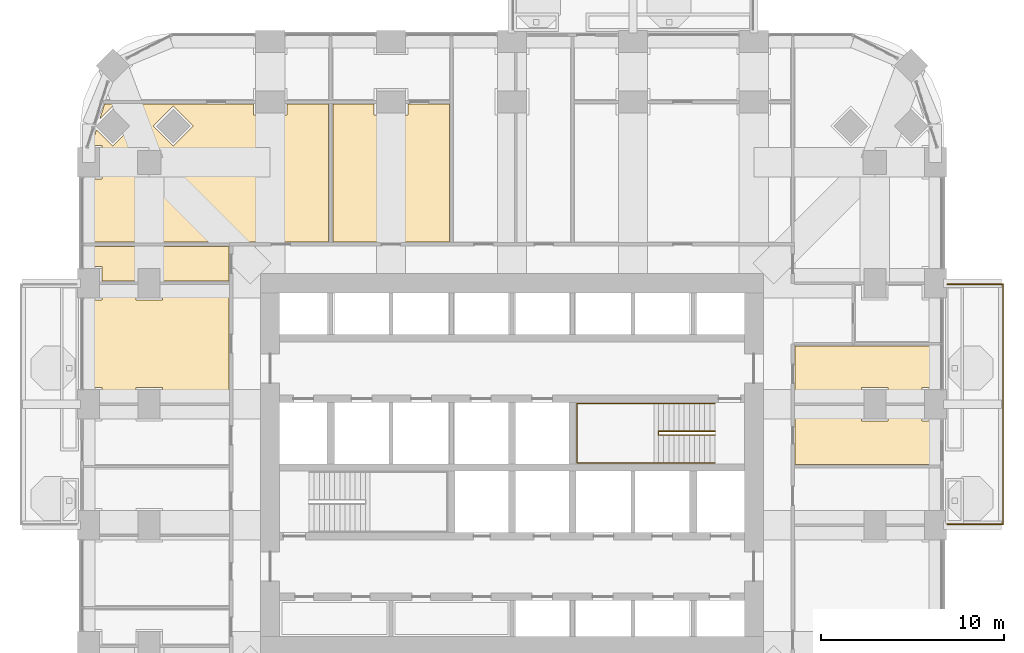
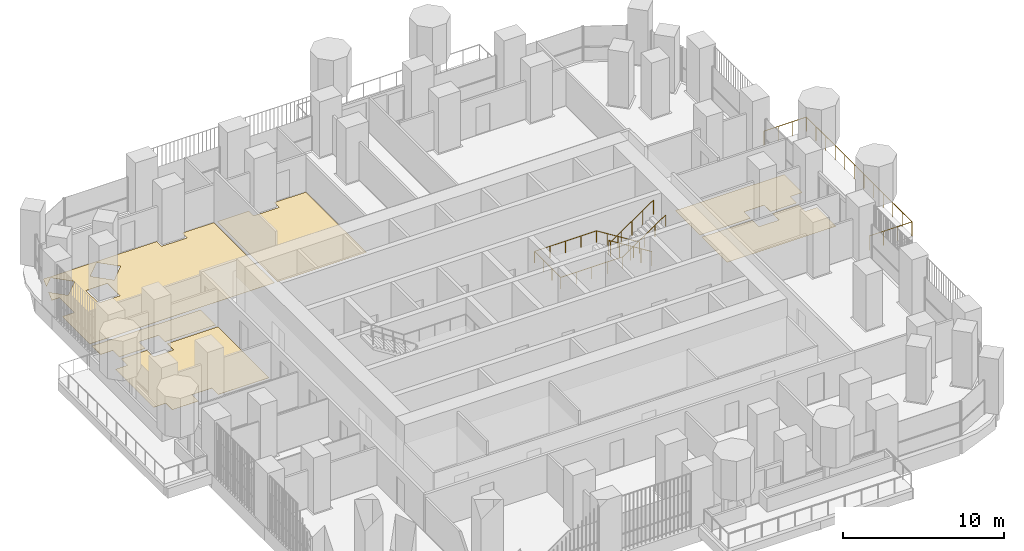
# One storey, part 20 of 22: 6 coverings, 3 railings.
"""IFC4 building model written with IfcOpenShell, lengths in metres."""

from ifc_helpers import new_model, si_unit, direction, frame, origin, place, context, subcontext, project, spatial, polyline, outline, extrude, material, layer, layer_set, type_object, element, save


model = new_model("IFC4")

# Units and contexts
model_context = context("Model", 3, precision=1e-05, world=origin(), true_north=direction((0.0, 1.0)))
body_context = subcontext(model_context, "Body", "Model", "MODEL_VIEW")
ifc_project = project(units=[si_unit("LENGTHUNIT", "METRE"), si_unit("AREAUNIT", "SQUARE_METRE"), si_unit("VOLUMEUNIT", "CUBIC_METRE"), si_unit("PLANEANGLEUNIT", "RADIAN"), si_unit("MASSUNIT", "GRAM", prefix="KILO")], contexts=[model_context])

# Site, building, storey
site_placement = place(None, origin())
site = spatial("IfcSite", under=ifc_project, at=site_placement, CompositionType="ELEMENT")
building_placement = place(site_placement, origin())
building = spatial("IfcBuilding", under=site, at=building_placement, Name="Cobogo Forest Laboratory Tower", CompositionType="ELEMENT")
storey_placement = place(building_placement, frame((0.0, 0.0, 136.800048828125)))
storey = spatial("IfcBuildingStorey", under=building, at=storey_placement, Name="L31", CompositionType="ELEMENT", Elevation=136.800048828125)

# Railing
ifc_material_1 = material(Name="Laminated glass balustrade", Category="glass")
railing_type_1 = type_object("IfcRailingType", Name="BG1 glass balustrade 1100", PredefinedType="GUARDRAIL", material=ifc_material_1)
railing_1_placement = place(storey_placement, frame((50.14990234375, 19.85009765625, 0.0)))
element("IfcRailing", 1, at=railing_1_placement, inside=storey, type_object=railing_type_1, Name="Balcony balustrade BAL-E1 L31", PredefinedType="GUARDRAIL", context=body_context, shape_type="SweptSolid", body=[
    extrude(outline(polyline([(0.022216796875, 0.00927734375), (0.00927734375, 0.022216796875), (-0.00927734375, 0.022216796875), (-0.022216796875, 0.00927734375), (-0.022216796875, -0.00927734375), (-0.00927734375, -0.022216796875), (0.00927734375, -0.022216796875), (0.022216796875, -0.00927734375), (0.022216796875, 0.00927734375)])), frame((0.0, 0.0, 1.077880859375), z_axis=(1.0, 0.0, 0.0), x_axis=(0.0, 1.0, 0.0)), (0.0, 0.0, 1.0), 3.050048828125),
    extrude(outline(polyline([(0.022216796875, 0.00927734375), (0.00927734375, 0.022216796875), (-0.00927734375, 0.022216796875), (-0.022216796875, 0.00927734375), (-0.022216796875, -0.00927734375), (-0.00927734375, -0.022216796875), (0.00927734375, -0.022216796875), (0.022216796875, -0.00927734375), (0.022216796875, 0.00927734375)])), frame((3.050048828125, 0.0, 1.077880859375), z_axis=(0.0, 1.0, 0.0), x_axis=(-1.0, 0.0, 0.0)), (0.0, 0.0, 1.0), 13.099853515625),
    extrude(outline(polyline([(0.022216796875, 0.00927734375), (0.00927734375, 0.022216796875), (-0.00927734375, 0.022216796875), (-0.022216796875, 0.00927734375), (-0.022216796875, -0.00927734375), (-0.00927734375, -0.022216796875), (0.00927734375, -0.022216796875), (0.022216796875, -0.00927734375), (0.022216796875, 0.00927734375)])), frame((3.050048828125, 13.099853515625, 1.077880859375), z_axis=(-1.0, 0.0, 0.0), x_axis=(0.0, -1.0, 0.0)), (0.0, 0.0, 1.0), 3.050048828125),
    extrude(outline(polyline([(0.019287109375, 0.008056640625), (0.008056640625, 0.019287109375), (-0.008056640625, 0.019287109375), (-0.019287109375, 0.008056640625), (-0.019287109375, -0.008056640625), (-0.008056640625, -0.019287109375), (0.008056640625, -0.019287109375), (0.019287109375, -0.008056640625), (0.019287109375, 0.008056640625)])), origin(), (0.0, 0.0, 1.0), 1.077880859375),
    extrude(outline(polyline([(0.019287109375, 0.008056640625), (0.008056640625, 0.019287109375), (-0.008056640625, 0.019287109375), (-0.019287109375, 0.008056640625), (-0.019287109375, -0.008056640625), (-0.008056640625, -0.019287109375), (0.008056640625, -0.019287109375), (0.019287109375, -0.008056640625), (0.019287109375, 0.008056640625)])), frame((1.0166015625, 0.0, 0.0)), (0.0, 0.0, 1.0), 1.077880859375),
    extrude(outline(polyline([(0.019287109375, 0.008056640625), (0.008056640625, 0.019287109375), (-0.008056640625, 0.019287109375), (-0.019287109375, 0.008056640625), (-0.019287109375, -0.008056640625), (-0.008056640625, -0.019287109375), (0.008056640625, -0.019287109375), (0.019287109375, -0.008056640625), (0.019287109375, 0.008056640625)])), frame((2.033447265625, 0.0, 0.0)), (0.0, 0.0, 1.0), 1.077880859375),
    extrude(outline(polyline([(0.019287109375, 0.008056640625), (0.008056640625, 0.019287109375), (-0.008056640625, 0.019287109375), (-0.019287109375, 0.008056640625), (-0.019287109375, -0.008056640625), (-0.008056640625, -0.019287109375), (0.008056640625, -0.019287109375), (0.019287109375, -0.008056640625), (0.019287109375, 0.008056640625)])), frame((3.050048828125, 0.0, 0.0)), (0.0, 0.0, 1.0), 1.077880859375),
    extrude(outline(polyline([(0.019287109375, 0.008056640625), (0.008056640625, 0.019287109375), (-0.008056640625, 0.019287109375), (-0.019287109375, 0.008056640625), (-0.019287109375, -0.008056640625), (-0.008056640625, -0.019287109375), (0.008056640625, -0.019287109375), (0.019287109375, -0.008056640625), (0.019287109375, 0.008056640625)])), frame((3.050048828125, 1.19091796875, 0.0)), (0.0, 0.0, 1.0), 1.077880859375),
    extrude(outline(polyline([(0.019287109375, 0.008056640625), (0.008056640625, 0.019287109375), (-0.008056640625, 0.019287109375), (-0.019287109375, 0.008056640625), (-0.019287109375, -0.008056640625), (-0.008056640625, -0.019287109375), (0.008056640625, -0.019287109375), (0.019287109375, -0.008056640625), (0.019287109375, 0.008056640625)])), frame((3.050048828125, 2.3818359375, 0.0)), (0.0, 0.0, 1.0), 1.077880859375),
    extrude(outline(polyline([(0.019287109375, 0.008056640625), (0.008056640625, 0.019287109375), (-0.008056640625, 0.019287109375), (-0.019287109375, 0.008056640625), (-0.019287109375, -0.008056640625), (-0.008056640625, -0.019287109375), (0.008056640625, -0.019287109375), (0.019287109375, -0.008056640625), (0.019287109375, 0.008056640625)])), frame((3.050048828125, 3.57275390625, 0.0)), (0.0, 0.0, 1.0), 1.077880859375),
    extrude(outline(polyline([(0.019287109375, 0.008056640625), (0.008056640625, 0.019287109375), (-0.008056640625, 0.019287109375), (-0.019287109375, 0.008056640625), (-0.019287109375, -0.008056640625), (-0.008056640625, -0.019287109375), (0.008056640625, -0.019287109375), (0.019287109375, -0.008056640625), (0.019287109375, 0.008056640625)])), frame((3.050048828125, 4.763671875, 0.0)), (0.0, 0.0, 1.0), 1.077880859375),
    extrude(outline(polyline([(0.019287109375, 0.008056640625), (0.008056640625, 0.019287109375), (-0.008056640625, 0.019287109375), (-0.019287109375, 0.008056640625), (-0.019287109375, -0.008056640625), (-0.008056640625, -0.019287109375), (0.008056640625, -0.019287109375), (0.019287109375, -0.008056640625), (0.019287109375, 0.008056640625)])), frame((3.050048828125, 5.95458984375, 0.0)), (0.0, 0.0, 1.0), 1.077880859375),
    extrude(outline(polyline([(0.019287109375, 0.008056640625), (0.008056640625, 0.019287109375), (-0.008056640625, 0.019287109375), (-0.019287109375, 0.008056640625), (-0.019287109375, -0.008056640625), (-0.008056640625, -0.019287109375), (0.008056640625, -0.019287109375), (0.019287109375, -0.008056640625), (0.019287109375, 0.008056640625)])), frame((3.050048828125, 7.145263671875, 0.0)), (0.0, 0.0, 1.0), 1.077880859375),
    extrude(outline(polyline([(0.019287109375, 0.008056640625), (0.008056640625, 0.019287109375), (-0.008056640625, 0.019287109375), (-0.019287109375, 0.008056640625), (-0.019287109375, -0.008056640625), (-0.008056640625, -0.019287109375), (0.008056640625, -0.019287109375), (0.019287109375, -0.008056640625), (0.019287109375, 0.008056640625)])), frame((3.050048828125, 8.336181640625, 0.0)), (0.0, 0.0, 1.0), 1.077880859375),
    extrude(outline(polyline([(0.019287109375, 0.008056640625), (0.008056640625, 0.019287109375), (-0.008056640625, 0.019287109375), (-0.019287109375, 0.008056640625), (-0.019287109375, -0.008056640625), (-0.008056640625, -0.019287109375), (0.008056640625, -0.019287109375), (0.019287109375, -0.008056640625), (0.019287109375, 0.008056640625)])), frame((3.050048828125, 9.527099609375, 0.0)), (0.0, 0.0, 1.0), 1.077880859375),
    extrude(outline(polyline([(0.019287109375, 0.008056640625), (0.008056640625, 0.019287109375), (-0.008056640625, 0.019287109375), (-0.019287109375, 0.008056640625), (-0.019287109375, -0.008056640625), (-0.008056640625, -0.019287109375), (0.008056640625, -0.019287109375), (0.019287109375, -0.008056640625), (0.019287109375, 0.008056640625)])), frame((3.050048828125, 10.718017578125, 0.0)), (0.0, 0.0, 1.0), 1.077880859375),
    extrude(outline(polyline([(0.019287109375, 0.008056640625), (0.008056640625, 0.019287109375), (-0.008056640625, 0.019287109375), (-0.019287109375, 0.008056640625), (-0.019287109375, -0.008056640625), (-0.008056640625, -0.019287109375), (0.008056640625, -0.019287109375), (0.019287109375, -0.008056640625), (0.019287109375, 0.008056640625)])), frame((3.050048828125, 11.908935546875, 0.0)), (0.0, 0.0, 1.0), 1.077880859375),
    extrude(outline(polyline([(0.019287109375, 0.008056640625), (0.008056640625, 0.019287109375), (-0.008056640625, 0.019287109375), (-0.019287109375, 0.008056640625), (-0.019287109375, -0.008056640625), (-0.008056640625, -0.019287109375), (0.008056640625, -0.019287109375), (0.019287109375, -0.008056640625), (0.019287109375, 0.008056640625)])), frame((3.050048828125, 13.099853515625, 0.0)), (0.0, 0.0, 1.0), 1.077880859375),
    extrude(outline(polyline([(0.019287109375, 0.008056640625), (0.008056640625, 0.019287109375), (-0.008056640625, 0.019287109375), (-0.019287109375, 0.008056640625), (-0.019287109375, -0.008056640625), (-0.008056640625, -0.019287109375), (0.008056640625, -0.019287109375), (0.019287109375, -0.008056640625), (0.019287109375, 0.008056640625)])), frame((2.033447265625, 13.099853515625, 0.0)), (0.0, 0.0, 1.0), 1.077880859375),
    extrude(outline(polyline([(0.019287109375, 0.008056640625), (0.008056640625, 0.019287109375), (-0.008056640625, 0.019287109375), (-0.019287109375, 0.008056640625), (-0.019287109375, -0.008056640625), (-0.008056640625, -0.019287109375), (0.008056640625, -0.019287109375), (0.019287109375, -0.008056640625), (0.019287109375, 0.008056640625)])), frame((1.0166015625, 13.099853515625, 0.0)), (0.0, 0.0, 1.0), 1.077880859375),
    extrude(outline(polyline([(0.019287109375, 0.008056640625), (0.008056640625, 0.019287109375), (-0.008056640625, 0.019287109375), (-0.019287109375, 0.008056640625), (-0.019287109375, -0.008056640625), (-0.008056640625, -0.019287109375), (0.008056640625, -0.019287109375), (0.019287109375, -0.008056640625), (0.019287109375, 0.008056640625)])), frame((0.0, 13.099853515625, 0.0)), (0.0, 0.0, 1.0), 1.077880859375),
])

# Coverings
ifc_material_2 = material(Name="Carpet tile on raised access floor", Category="flooring")
ifc_layer_1 = layer(ifc_material_2, 0.008056640625)
ifc_layer_set_1 = layer_set([ifc_layer_1], Name="CT1 carpet tile floor 8")
covering_type_1 = type_object("IfcCoveringType", Name="CT1 carpet tile floor 8", PredefinedType="FLOORING", material=ifc_layer_set_1)
covering_1_placement = place(storey_placement, origin())
element("IfcCovering", 2, at=covering_1_placement, inside=storey, type_object=covering_type_1, Name="Carpet floor L31-12", PredefinedType="FLOORING", context=body_context, shape_type="SweptSolid", body=[
    extrude(outline(polyline([(41.844970703125, 29.580078125), (49.64990234375, 29.580078125), (49.64990234375, 27.320068359375), (48.780029296875, 27.320068359375), (48.780029296875, 26.52001953125), (46.919921875, 26.52001953125), (46.919921875, 27.320068359375), (45.47998046875, 27.320068359375), (45.47998046875, 26.52001953125), (41.844970703125, 26.52001953125), (41.844970703125, 29.580078125)])), origin(), (0.0, 0.0, 1.0), 0.008056640625),
])
covering_2_placement = place(storey_placement, origin())
element("IfcCovering", 3, at=covering_2_placement, inside=storey, type_object=covering_type_1, Name="Carpet floor L31-15", PredefinedType="FLOORING", context=body_context, shape_type="SweptSolid", body=[
    extrude(outline(polyline([(3.72412109375, 41.386962890625), (4.617919921875, 40.492919921875), (5.70703125, 41.58203125), (4.617919921875, 42.6708984375), (3.904052734375, 41.95703125), (4.1640625, 42.780029296875), (12.280029296875, 42.780029296875), (12.280029296875, 42.179931640625), (14.1201171875, 42.179931640625), (14.1201171875, 42.780029296875), (16.3798828125, 42.780029296875), (16.3798828125, 35.2451171875), (3.14990234375, 35.2451171875), (3.14990234375, 38.679931640625), (4.02001953125, 38.679931640625), (4.02001953125, 40.52001953125), (3.4501953125, 40.52001953125), (3.72412109375, 41.386962890625)]), holes=[polyline([(6.8291015625, 41.58203125), (7.91796875, 40.492919921875), (9.007080078125, 41.58203125), (7.91796875, 42.6708984375), (6.8291015625, 41.58203125)]), polyline([(5.830078125, 38.830078125), (7.3701171875, 38.830078125), (7.3701171875, 40.3701171875), (5.830078125, 40.3701171875), (5.830078125, 38.830078125)])]), origin(), (0.0, 0.0, 1.0), 0.008056640625),
])
covering_3_placement = place(storey_placement, origin())
element("IfcCovering", 4, at=covering_3_placement, inside=storey, type_object=covering_type_1, Name="Carpet floor L31-28", PredefinedType="FLOORING", context=body_context, shape_type="SweptSolid", body=[
    extrude(outline(polyline([(10.955078125, 26.52001953125), (7.320068359375, 26.52001953125), (7.320068359375, 27.320068359375), (5.8798828125, 27.320068359375), (5.8798828125, 26.52001953125), (4.02001953125, 26.52001953125), (4.02001953125, 27.320068359375), (3.14990234375, 27.320068359375), (3.14990234375, 32.080078125), (4.02001953125, 32.080078125), (4.02001953125, 32.8798828125), (5.8798828125, 32.8798828125), (5.8798828125, 32.080078125), (7.320068359375, 32.080078125), (7.320068359375, 32.8798828125), (10.955078125, 32.8798828125), (10.955078125, 26.52001953125)])), origin(), (0.0, 0.0, 1.0), 0.008056640625),
])
covering_4_placement = place(storey_placement, origin())
element("IfcCovering", 5, at=covering_4_placement, inside=storey, type_object=covering_type_1, Name="Carpet floor L31-29", PredefinedType="FLOORING", context=body_context, shape_type="SweptSolid", body=[
    extrude(outline(polyline([(10.955078125, 33.1201171875), (7.320068359375, 33.1201171875), (7.320068359375, 33.919921875), (5.8798828125, 33.919921875), (5.8798828125, 33.1201171875), (4.02001953125, 33.1201171875), (4.02001953125, 33.919921875), (3.14990234375, 33.919921875), (3.14990234375, 35.0048828125), (10.955078125, 35.0048828125), (10.955078125, 33.1201171875)])), origin(), (0.0, 0.0, 1.0), 0.008056640625),
])

# Railings
ifc_material_3 = material(Name="Steel balustrade", Category="steel")
railing_type_2 = type_object("IfcRailingType", Name="GR stair guard 1100", PredefinedType="GUARDRAIL", material=ifc_material_3)
railing_2_placement = place(storey_placement, frame((37.47509765625, 24.929931640625, 0.175048828125)))
element("IfcRailing", 6, at=railing_2_placement, inside=storey, type_object=railing_type_2, Name="Stair guard ST2 L31", PredefinedType="GUARDRAIL", context=body_context, shape_type="SweptSolid", body=[
    extrude(outline(polyline([(0.022216796875, 0.00927734375), (0.00927734375, 0.022216796875), (-0.00927734375, 0.022216796875), (-0.022216796875, 0.00927734375), (-0.022216796875, -0.00927734375), (-0.00927734375, -0.022216796875), (0.00927734375, -0.022216796875), (0.022216796875, -0.00927734375), (0.022216796875, 0.00927734375)])), frame((0.0, 0.0, 1.077880859375), z_axis=(-0.848028513186, 0.0, 0.529950602248), x_axis=(0.0, -1.0, 0.0)), (0.0, 0.0, 1.0), 3.632080078125),
    extrude(outline(polyline([(0.022216796875, 0.00927734375), (0.00927734375, 0.022216796875), (-0.00927734375, 0.022216796875), (-0.022216796875, 0.00927734375), (-0.022216796875, -0.00927734375), (-0.00927734375, -0.022216796875), (0.00927734375, -0.022216796875), (0.022216796875, -0.00927734375), (0.022216796875, 0.00927734375)])), frame((-3.080078125, 0.0, 3.002685546875), z_axis=(0.0, -1.0, 0.0), x_axis=(1.0, 0.0, 0.0)), (0.0, 0.0, 1.0), 0.2099609375),
    extrude(outline(polyline([(0.022216796875, 0.00927734375), (0.00927734375, 0.022216796875), (-0.00927734375, 0.022216796875), (-0.022216796875, 0.00927734375), (-0.022216796875, -0.00927734375), (-0.00927734375, -0.022216796875), (0.00927734375, -0.022216796875), (0.022216796875, -0.00927734375), (0.022216796875, 0.00927734375)])), frame((-3.080078125, -0.2099609375, 3.002685546875), z_axis=(0.826221800596, 0.0, 0.563344953133), x_axis=(0.0, 1.0, 0.0)), (0.0, 0.0, 1.0), 3.72802734375),
    extrude(outline(polyline([(0.019287109375, 0.008056640625), (0.008056640625, 0.019287109375), (-0.008056640625, 0.019287109375), (-0.019287109375, 0.008056640625), (-0.019287109375, -0.008056640625), (-0.008056640625, -0.019287109375), (0.008056640625, -0.019287109375), (0.019287109375, -0.008056640625), (0.019287109375, 0.008056640625)])), origin(), (0.0, 0.0, 1.0), 1.077880859375),
    extrude(outline(polyline([(0.019287109375, 0.008056640625), (0.008056640625, 0.019287109375), (-0.008056640625, 0.019287109375), (-0.019287109375, 0.008056640625), (-0.019287109375, -0.008056640625), (-0.008056640625, -0.019287109375), (0.008056640625, -0.019287109375), (0.019287109375, -0.008056640625), (0.019287109375, 0.008056640625)])), frame((-0.77001953125, 0.0, 0.481201171875)), (0.0, 0.0, 1.0), 1.077880859375),
    extrude(outline(polyline([(0.019287109375, 0.008056640625), (0.008056640625, 0.019287109375), (-0.008056640625, 0.019287109375), (-0.019287109375, 0.008056640625), (-0.019287109375, -0.008056640625), (-0.008056640625, -0.019287109375), (0.008056640625, -0.019287109375), (0.019287109375, -0.008056640625), (0.019287109375, 0.008056640625)])), frame((-1.5400390625, 0.0, 0.96240234375)), (0.0, 0.0, 1.0), 1.077880859375),
    extrude(outline(polyline([(0.019287109375, 0.008056640625), (0.008056640625, 0.019287109375), (-0.008056640625, 0.019287109375), (-0.019287109375, 0.008056640625), (-0.019287109375, -0.008056640625), (-0.008056640625, -0.019287109375), (0.008056640625, -0.019287109375), (0.019287109375, -0.008056640625), (0.019287109375, 0.008056640625)])), frame((-2.31005859375, 0.0, 1.443603515625)), (0.0, 0.0, 1.0), 1.077880859375),
    extrude(outline(polyline([(0.019287109375, 0.008056640625), (0.008056640625, 0.019287109375), (-0.008056640625, 0.019287109375), (-0.019287109375, 0.008056640625), (-0.019287109375, -0.008056640625), (-0.008056640625, -0.019287109375), (0.008056640625, -0.019287109375), (0.019287109375, -0.008056640625), (0.019287109375, 0.008056640625)])), frame((-3.080078125, 0.0, 1.9248046875)), (0.0, 0.0, 1.0), 1.077880859375),
    extrude(outline(polyline([(0.019287109375, 0.008056640625), (0.008056640625, 0.019287109375), (-0.008056640625, 0.019287109375), (-0.019287109375, 0.008056640625), (-0.019287109375, -0.008056640625), (-0.008056640625, -0.019287109375), (0.008056640625, -0.019287109375), (0.019287109375, -0.008056640625), (0.019287109375, 0.008056640625)])), frame((-3.080078125, -0.2099609375, 1.9248046875)), (0.0, 0.0, 1.0), 1.077880859375),
    extrude(outline(polyline([(0.019287109375, 0.008056640625), (0.008056640625, 0.019287109375), (-0.008056640625, 0.019287109375), (-0.019287109375, 0.008056640625), (-0.019287109375, -0.008056640625), (-0.008056640625, -0.019287109375), (0.008056640625, -0.019287109375), (0.019287109375, -0.008056640625), (0.019287109375, 0.008056640625)])), frame((-2.31005859375, -0.2099609375, 2.44970703125)), (0.0, 0.0, 1.0), 1.077880859375),
    extrude(outline(polyline([(0.019287109375, 0.008056640625), (0.008056640625, 0.019287109375), (-0.008056640625, 0.019287109375), (-0.019287109375, 0.008056640625), (-0.019287109375, -0.008056640625), (-0.008056640625, -0.019287109375), (0.008056640625, -0.019287109375), (0.019287109375, -0.008056640625), (0.019287109375, 0.008056640625)])), frame((-1.5400390625, -0.2099609375, 2.974853515625)), (0.0, 0.0, 1.0), 1.077880859375),
    extrude(outline(polyline([(0.019287109375, 0.008056640625), (0.008056640625, 0.019287109375), (-0.008056640625, 0.019287109375), (-0.019287109375, 0.008056640625), (-0.019287109375, -0.008056640625), (-0.008056640625, -0.019287109375), (0.008056640625, -0.019287109375), (0.019287109375, -0.008056640625), (0.019287109375, 0.008056640625)])), frame((-0.77001953125, -0.2099609375, 3.5)), (0.0, 0.0, 1.0), 1.077880859375),
    extrude(outline(polyline([(0.019287109375, 0.008056640625), (0.008056640625, 0.019287109375), (-0.008056640625, 0.019287109375), (-0.019287109375, 0.008056640625), (-0.019287109375, -0.008056640625), (-0.008056640625, -0.019287109375), (0.008056640625, -0.019287109375), (0.019287109375, -0.008056640625), (0.019287109375, 0.008056640625)])), frame((0.0, -0.2099609375, 4.02490234375)), (0.0, 0.0, 1.0), 1.077880859375),
])
ifc_material_4 = material(Name="Stainless steel handrail", Category="steel")
railing_type_3 = type_object("IfcRailingType", Name="HR handrail 900", PredefinedType="HANDRAIL", material=ifc_material_4)
railing_3_placement = place(storey_placement, frame((37.47509765625, 26.449951171875, 0.175048828125)))
element("IfcRailing", 7, at=railing_3_placement, inside=storey, type_object=railing_type_3, Name="Stair handrail ST2 L31", PredefinedType="HANDRAIL", context=body_context, shape_type="SweptSolid", body=[
    extrude(outline(polyline([(0.022216796875, 0.00927734375), (0.00927734375, 0.022216796875), (-0.00927734375, 0.022216796875), (-0.022216796875, 0.00927734375), (-0.022216796875, -0.00927734375), (-0.00927734375, -0.022216796875), (0.00927734375, -0.022216796875), (0.022216796875, -0.00927734375), (0.022216796875, 0.00927734375)])), frame((0.0, 0.0, 0.877685546875), z_axis=(-0.848028513186, 0.0, 0.529950602248), x_axis=(0.0, -1.0, 0.0)), (0.0, 0.0, 1.0), 3.632080078125),
    extrude(outline(polyline([(0.022216796875, 0.00927734375), (0.00927734375, 0.022216796875), (-0.00927734375, 0.022216796875), (-0.022216796875, 0.00927734375), (-0.022216796875, -0.00927734375), (-0.00927734375, -0.022216796875), (0.00927734375, -0.022216796875), (0.022216796875, -0.00927734375), (0.022216796875, 0.00927734375)])), frame((-3.080078125, 0.0, 2.802490234375), z_axis=(-1.0, 0.0, 0.0), x_axis=(0.0, -1.0, 0.0)), (0.0, 0.0, 1.0), 4.445068359375),
    extrude(outline(polyline([(0.022216796875, 0.00927734375), (0.00927734375, 0.022216796875), (-0.00927734375, 0.022216796875), (-0.022216796875, 0.00927734375), (-0.022216796875, -0.00927734375), (-0.00927734375, -0.022216796875), (0.00927734375, -0.022216796875), (0.022216796875, -0.00927734375), (0.022216796875, 0.00927734375)])), frame((-7.525146484375, 0.0, 2.802490234375), z_axis=(0.0, -1.0, 0.0), x_axis=(1.0, 0.0, 0.0)), (0.0, 0.0, 1.0), 3.25),
    extrude(outline(polyline([(0.022216796875, 0.00927734375), (0.00927734375, 0.022216796875), (-0.00927734375, 0.022216796875), (-0.022216796875, 0.00927734375), (-0.022216796875, -0.00927734375), (-0.00927734375, -0.022216796875), (0.00927734375, -0.022216796875), (0.022216796875, -0.00927734375), (0.022216796875, 0.00927734375)])), frame((-7.525146484375, -3.25, 2.802490234375), z_axis=(1.0, 0.0, 0.0), x_axis=(0.0, 1.0, 0.0)), (0.0, 0.0, 1.0), 4.445068359375),
    extrude(outline(polyline([(0.022216796875, 0.00927734375), (0.00927734375, 0.022216796875), (-0.00927734375, 0.022216796875), (-0.022216796875, 0.00927734375), (-0.022216796875, -0.00927734375), (-0.00927734375, -0.022216796875), (0.00927734375, -0.022216796875), (0.022216796875, -0.00927734375), (0.022216796875, 0.00927734375)])), frame((-3.080078125, -3.25, 2.802490234375), z_axis=(0.826221800596, 0.0, 0.563344953133), x_axis=(0.0, 1.0, 0.0)), (0.0, 0.0, 1.0), 3.72802734375),
    extrude(outline(polyline([(0.019287109375, 0.008056640625), (0.008056640625, 0.019287109375), (-0.008056640625, 0.019287109375), (-0.019287109375, 0.008056640625), (-0.019287109375, -0.008056640625), (-0.008056640625, -0.019287109375), (0.008056640625, -0.019287109375), (0.019287109375, -0.008056640625), (0.019287109375, 0.008056640625)])), origin(), (0.0, 0.0, 1.0), 0.877685546875),
    extrude(outline(polyline([(0.019287109375, 0.008056640625), (0.008056640625, 0.019287109375), (-0.008056640625, 0.019287109375), (-0.019287109375, 0.008056640625), (-0.019287109375, -0.008056640625), (-0.008056640625, -0.019287109375), (0.008056640625, -0.019287109375), (0.019287109375, -0.008056640625), (0.019287109375, 0.008056640625)])), frame((-0.77001953125, 0.0, 0.481201171875)), (0.0, 0.0, 1.0), 0.877685546875),
    extrude(outline(polyline([(0.019287109375, 0.008056640625), (0.008056640625, 0.019287109375), (-0.008056640625, 0.019287109375), (-0.019287109375, 0.008056640625), (-0.019287109375, -0.008056640625), (-0.008056640625, -0.019287109375), (0.008056640625, -0.019287109375), (0.019287109375, -0.008056640625), (0.019287109375, 0.008056640625)])), frame((-1.5400390625, 0.0, 0.96240234375)), (0.0, 0.0, 1.0), 0.877685546875),
    extrude(outline(polyline([(0.019287109375, 0.008056640625), (0.008056640625, 0.019287109375), (-0.008056640625, 0.019287109375), (-0.019287109375, 0.008056640625), (-0.019287109375, -0.008056640625), (-0.008056640625, -0.019287109375), (0.008056640625, -0.019287109375), (0.019287109375, -0.008056640625), (0.019287109375, 0.008056640625)])), frame((-2.31005859375, 0.0, 1.443603515625)), (0.0, 0.0, 1.0), 0.877685546875),
    extrude(outline(polyline([(0.019287109375, 0.008056640625), (0.008056640625, 0.019287109375), (-0.008056640625, 0.019287109375), (-0.019287109375, 0.008056640625), (-0.019287109375, -0.008056640625), (-0.008056640625, -0.019287109375), (0.008056640625, -0.019287109375), (0.019287109375, -0.008056640625), (0.019287109375, 0.008056640625)])), frame((-3.080078125, 0.0, 1.9248046875)), (0.0, 0.0, 1.0), 0.877685546875),
    extrude(outline(polyline([(0.019287109375, 0.008056640625), (0.008056640625, 0.019287109375), (-0.008056640625, 0.019287109375), (-0.019287109375, 0.008056640625), (-0.019287109375, -0.008056640625), (-0.008056640625, -0.019287109375), (0.008056640625, -0.019287109375), (0.019287109375, -0.008056640625), (0.019287109375, 0.008056640625)])), frame((-4.19140625, 0.0, 1.9248046875)), (0.0, 0.0, 1.0), 0.877685546875),
    extrude(outline(polyline([(0.019287109375, 0.008056640625), (0.008056640625, 0.019287109375), (-0.008056640625, 0.019287109375), (-0.019287109375, 0.008056640625), (-0.019287109375, -0.008056640625), (-0.008056640625, -0.019287109375), (0.008056640625, -0.019287109375), (0.019287109375, -0.008056640625), (0.019287109375, 0.008056640625)])), frame((-5.302734375, 0.0, 1.9248046875)), (0.0, 0.0, 1.0), 0.877685546875),
    extrude(outline(polyline([(0.019287109375, 0.008056640625), (0.008056640625, 0.019287109375), (-0.008056640625, 0.019287109375), (-0.019287109375, 0.008056640625), (-0.019287109375, -0.008056640625), (-0.008056640625, -0.019287109375), (0.008056640625, -0.019287109375), (0.019287109375, -0.008056640625), (0.019287109375, 0.008056640625)])), frame((-6.413818359375, 0.0, 1.9248046875)), (0.0, 0.0, 1.0), 0.877685546875),
    extrude(outline(polyline([(0.019287109375, 0.008056640625), (0.008056640625, 0.019287109375), (-0.008056640625, 0.019287109375), (-0.019287109375, 0.008056640625), (-0.019287109375, -0.008056640625), (-0.008056640625, -0.019287109375), (0.008056640625, -0.019287109375), (0.019287109375, -0.008056640625), (0.019287109375, 0.008056640625)])), frame((-7.525146484375, 0.0, 1.9248046875)), (0.0, 0.0, 1.0), 0.877685546875),
    extrude(outline(polyline([(0.019287109375, 0.008056640625), (0.008056640625, 0.019287109375), (-0.008056640625, 0.019287109375), (-0.019287109375, 0.008056640625), (-0.019287109375, -0.008056640625), (-0.008056640625, -0.019287109375), (0.008056640625, -0.019287109375), (0.019287109375, -0.008056640625), (0.019287109375, 0.008056640625)])), frame((-7.525146484375, -1.083251953125, 1.9248046875)), (0.0, 0.0, 1.0), 0.877685546875),
    extrude(outline(polyline([(0.019287109375, 0.008056640625), (0.008056640625, 0.019287109375), (-0.008056640625, 0.019287109375), (-0.019287109375, 0.008056640625), (-0.019287109375, -0.008056640625), (-0.008056640625, -0.019287109375), (0.008056640625, -0.019287109375), (0.019287109375, -0.008056640625), (0.019287109375, 0.008056640625)])), frame((-7.525146484375, -2.166748046875, 1.9248046875)), (0.0, 0.0, 1.0), 0.877685546875),
    extrude(outline(polyline([(0.019287109375, 0.008056640625), (0.008056640625, 0.019287109375), (-0.008056640625, 0.019287109375), (-0.019287109375, 0.008056640625), (-0.019287109375, -0.008056640625), (-0.008056640625, -0.019287109375), (0.008056640625, -0.019287109375), (0.019287109375, -0.008056640625), (0.019287109375, 0.008056640625)])), frame((-7.525146484375, -3.25, 1.9248046875)), (0.0, 0.0, 1.0), 0.877685546875),
    extrude(outline(polyline([(0.019287109375, 0.008056640625), (0.008056640625, 0.019287109375), (-0.008056640625, 0.019287109375), (-0.019287109375, 0.008056640625), (-0.019287109375, -0.008056640625), (-0.008056640625, -0.019287109375), (0.008056640625, -0.019287109375), (0.019287109375, -0.008056640625), (0.019287109375, 0.008056640625)])), frame((-6.413818359375, -3.25, 1.9248046875)), (0.0, 0.0, 1.0), 0.877685546875),
    extrude(outline(polyline([(0.019287109375, 0.008056640625), (0.008056640625, 0.019287109375), (-0.008056640625, 0.019287109375), (-0.019287109375, 0.008056640625), (-0.019287109375, -0.008056640625), (-0.008056640625, -0.019287109375), (0.008056640625, -0.019287109375), (0.019287109375, -0.008056640625), (0.019287109375, 0.008056640625)])), frame((-5.302734375, -3.25, 1.9248046875)), (0.0, 0.0, 1.0), 0.877685546875),
    extrude(outline(polyline([(0.019287109375, 0.008056640625), (0.008056640625, 0.019287109375), (-0.008056640625, 0.019287109375), (-0.019287109375, 0.008056640625), (-0.019287109375, -0.008056640625), (-0.008056640625, -0.019287109375), (0.008056640625, -0.019287109375), (0.019287109375, -0.008056640625), (0.019287109375, 0.008056640625)])), frame((-4.19140625, -3.25, 1.9248046875)), (0.0, 0.0, 1.0), 0.877685546875),
    extrude(outline(polyline([(0.019287109375, 0.008056640625), (0.008056640625, 0.019287109375), (-0.008056640625, 0.019287109375), (-0.019287109375, 0.008056640625), (-0.019287109375, -0.008056640625), (-0.008056640625, -0.019287109375), (0.008056640625, -0.019287109375), (0.019287109375, -0.008056640625), (0.019287109375, 0.008056640625)])), frame((-3.080078125, -3.25, 1.9248046875)), (0.0, 0.0, 1.0), 0.877685546875),
    extrude(outline(polyline([(0.019287109375, 0.008056640625), (0.008056640625, 0.019287109375), (-0.008056640625, 0.019287109375), (-0.019287109375, 0.008056640625), (-0.019287109375, -0.008056640625), (-0.008056640625, -0.019287109375), (0.008056640625, -0.019287109375), (0.019287109375, -0.008056640625), (0.019287109375, 0.008056640625)])), frame((-2.31005859375, -3.25, 2.44970703125)), (0.0, 0.0, 1.0), 0.877685546875),
    extrude(outline(polyline([(0.019287109375, 0.008056640625), (0.008056640625, 0.019287109375), (-0.008056640625, 0.019287109375), (-0.019287109375, 0.008056640625), (-0.019287109375, -0.008056640625), (-0.008056640625, -0.019287109375), (0.008056640625, -0.019287109375), (0.019287109375, -0.008056640625), (0.019287109375, 0.008056640625)])), frame((-1.5400390625, -3.25, 2.974853515625)), (0.0, 0.0, 1.0), 0.877685546875),
    extrude(outline(polyline([(0.019287109375, 0.008056640625), (0.008056640625, 0.019287109375), (-0.008056640625, 0.019287109375), (-0.019287109375, 0.008056640625), (-0.019287109375, -0.008056640625), (-0.008056640625, -0.019287109375), (0.008056640625, -0.019287109375), (0.019287109375, -0.008056640625), (0.019287109375, 0.008056640625)])), frame((-0.77001953125, -3.25, 3.5)), (0.0, 0.0, 1.0), 0.877685546875),
    extrude(outline(polyline([(0.019287109375, 0.008056640625), (0.008056640625, 0.019287109375), (-0.008056640625, 0.019287109375), (-0.019287109375, 0.008056640625), (-0.019287109375, -0.008056640625), (-0.008056640625, -0.019287109375), (0.008056640625, -0.019287109375), (0.019287109375, -0.008056640625), (0.019287109375, 0.008056640625)])), frame((0.0, -3.25, 4.02490234375)), (0.0, 0.0, 1.0), 0.877685546875),
])

# Coverings
ifc_material_5 = material(Name="Static-dissipative vinyl flooring", Category="flooring")
ifc_layer_2 = layer(ifc_material_5, 0.0029296875)
ifc_layer_set_2 = layer_set([ifc_layer_2], Name="SD1 static-dissipative vinyl floor 3")
covering_type_2 = type_object("IfcCoveringType", Name="SD1 static-dissipative vinyl floor 3", PredefinedType="FLOORING", material=ifc_layer_set_2)
covering_5_placement = place(storey_placement, origin())
element("IfcCovering", 8, at=covering_5_placement, inside=storey, type_object=covering_type_2, Name="Static-dissipative floor L31-11", PredefinedType="FLOORING", context=body_context, shape_type="SweptSolid", body=[
    extrude(outline(polyline([(41.844970703125, 26.280029296875), (45.47998046875, 26.280029296875), (45.47998046875, 25.47998046875), (46.919921875, 25.47998046875), (46.919921875, 26.280029296875), (48.780029296875, 26.280029296875), (48.780029296875, 25.47998046875), (49.64990234375, 25.47998046875), (49.64990234375, 23.1201171875), (41.844970703125, 23.1201171875), (41.844970703125, 26.280029296875)])), origin(), (0.0, 0.0, 1.0), 0.0029296875),
])
ifc_material_6 = material(Name="Ceramic floor tile", Category="flooring")
ifc_layer_3 = layer(ifc_material_6, 0.010009765625)
ifc_layer_set_3 = layer_set([ifc_layer_3], Name="TF1 ceramic tile floor 10")
covering_type_3 = type_object("IfcCoveringType", Name="TF1 ceramic tile floor 10", PredefinedType="FLOORING", material=ifc_layer_set_3)
covering_6_placement = place(storey_placement, origin())
element("IfcCovering", 9, at=covering_6_placement, inside=storey, type_object=covering_type_3, Name="Tile floor L31-17", PredefinedType="FLOORING", context=body_context, shape_type="SweptSolid", body=[
    extrude(outline(polyline([(16.6201171875, 42.780029296875), (18.8798828125, 42.780029296875), (18.8798828125, 42.179931640625), (20.719970703125, 42.179931640625), (20.719970703125, 42.780029296875), (22.97998046875, 42.780029296875), (22.97998046875, 35.2451171875), (16.6201171875, 35.2451171875), (16.6201171875, 42.780029296875)])), origin(), (0.0, 0.0, 1.0), 0.010009765625),
])

save(model, "model.ifc")
